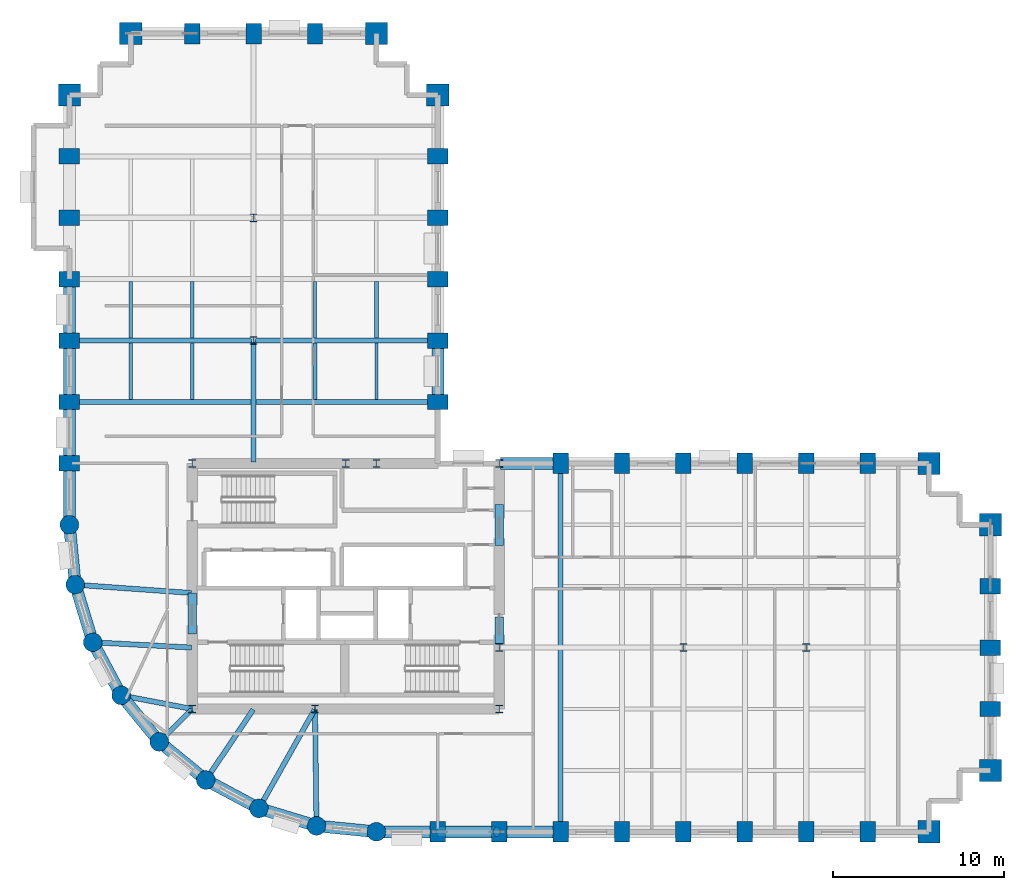
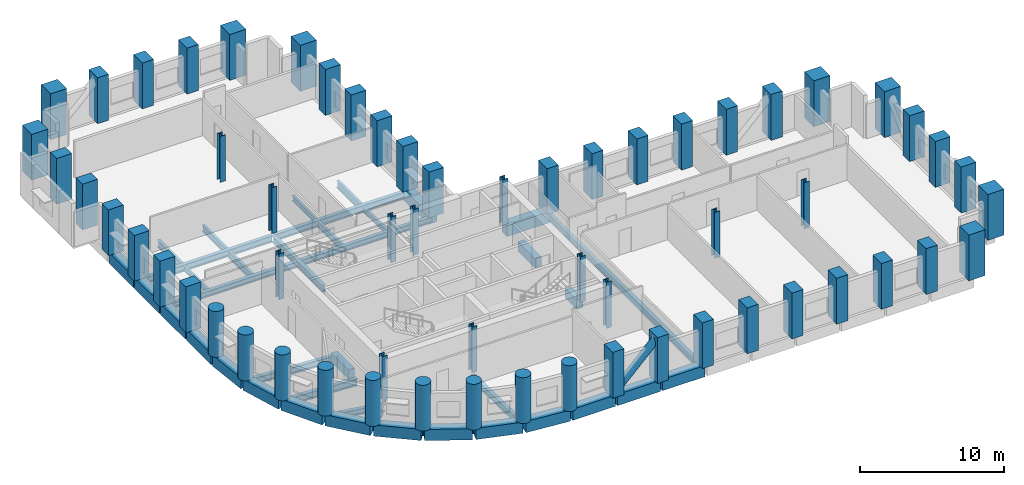
# One storey, part 1 of 11: 60 columns, 40 beams, 1 member.
"""IFC4 building model written with IfcOpenShell, lengths in metres."""

from ifc_helpers import new_model, si_unit, direction, frame, origin, origin_2d, place, context, subcontext, project, spatial, rectangle, circle, hollow_circle, i_section, extrude, material, material_profile, profile_set, type_object, element, save


model = new_model("IFC4")

# Units and contexts
model_context = context("Model", 3, precision=1e-05, world=origin(), true_north=direction((0.0, 1.0)))
body_context = subcontext(model_context, "Body", "Model", "MODEL_VIEW")
ifc_project = project(units=[si_unit("LENGTHUNIT", "METRE"), si_unit("AREAUNIT", "SQUARE_METRE"), si_unit("VOLUMEUNIT", "CUBIC_METRE"), si_unit("PLANEANGLEUNIT", "RADIAN"), si_unit("MASSUNIT", "GRAM", prefix="KILO")], contexts=[model_context])

# Site, building, storey
site_placement = place(None, origin())
site = spatial("IfcSite", under=ifc_project, at=site_placement, CompositionType="ELEMENT")
building_placement = place(site_placement, origin())
building = spatial("IfcBuilding", under=site, at=building_placement, Name="Solnavia Interchange Tower", CompositionType="ELEMENT")
storey_placement = place(building_placement, frame((0.0, 0.0, 47.39990234375)))
storey = spatial("IfcBuildingStorey", under=building, at=storey_placement, Name="L11", CompositionType="ELEMENT", Elevation=47.39990234375)

# Columns
ifc_material_1 = material(Name="Concrete C60/75", Category="concrete")
ifc_material_profile_1 = material_profile(ifc_material_1, rectangle(XDim=0.89990234375, YDim=1.199951171875, at=origin_2d()), Name="RC 1200x900")
ifc_profile_set_1 = profile_set([ifc_material_profile_1], Name="Concrete C60/75")
column_type_1 = type_object("IfcColumnType", Name="Col-RC-1200x900", PredefinedType="COLUMN", material=ifc_profile_set_1)
for number, where, z_axis, x_axis, name in (
    (1, (7.199951171875, 25.199951171875, 0.0), (0.0, 0.0, 1.0), (0.0, 1.0, 0.0), "COL-L11-02 Tower perim y column"),
    (2, (7.199951171875, 28.800048828125, 0.0), (0.0, 0.0, 1.0), (0.0, 1.0, 0.0), "COL-L11-03 Tower perim y column"),
    (3, (7.199951171875, 32.39990234375, 0.0), (0.0, 0.0, 1.0), (0.0, 1.0, 0.0), "COL-L11-04 Tower perim y column"),
    (4, (7.199951171875, 36.0, 0.0), (0.0, 0.0, 1.0), (0.0, 1.0, 0.0), "COL-L11-05 Tower perim y column"),
    (5, (7.199951171875, 39.60009765625, 0.0), (0.0, 0.0, 1.0), (0.0, 1.0, 0.0), "COL-L11-06 Tower perim y column"),
    (6, (7.199951171875, 43.199951171875, 0.0), (0.0, 0.0, 1.0), (0.0, 1.0, 0.0), "COL-L11-07 Tower perim y column"),
    (7, (14.39990234375, 50.39990234375, 0.0), (0.0, 0.0, 1.0), (1.0, 0.0, 0.0), "COL-L11-16 Tower perim x column"),
    (8, (18.0, 50.39990234375, 0.0), (0.0, 0.0, 1.0), (1.0, 0.0, 0.0), "COL-L11-20 Tower perim x column"),
    (9, (21.60009765625, 50.39990234375, 0.0), (0.0, 0.0, 1.0), (1.0, 0.0, 0.0), "COL-L11-23 Tower perim x column"),
    (10, (28.800048828125, 3.60009765625, 0.0), (0.0, 0.0, 1.0), (1.0, 0.0, 0.0), "COL-L11-29 Tower perim x column"),
    (11, (28.800048828125, 28.800048828125, 0.0), (0.0, 0.0, 1.0), (0.0, 1.0, 0.0), "COL-L11-30 Tower perim y column"),
    (12, (28.800048828125, 32.39990234375, 0.0), (0.0, 0.0, 1.0), (0.0, 1.0, 0.0), "COL-L11-31 Tower perim y column"),
    (13, (28.800048828125, 36.0, 0.0), (0.0, 0.0, 1.0), (0.0, 1.0, 0.0), "COL-L11-32 Tower perim y column"),
    (14, (28.800048828125, 39.60009765625, 0.0), (0.0, 0.0, 1.0), (0.0, 1.0, 0.0), "COL-L11-33 Tower perim y column"),
    (15, (28.800048828125, 43.199951171875, 0.0), (0.0, 0.0, 1.0), (0.0, 1.0, 0.0), "COL-L11-34 Tower perim y column"),
    (16, (32.39990234375, 3.60009765625, 0.0), (0.0, 0.0, 1.0), (1.0, 0.0, 0.0), "COL-L11-36 Tower perim x column"),
    (17, (36.0, 3.60009765625, 0.0), (0.0, 0.0, 1.0), (1.0, 0.0, 0.0), "COL-L11-40 Tower perim x column"),
    (18, (36.0, 25.199951171875, 0.0), (0.0, 0.0, 1.0), (1.0, 0.0, 0.0), "COL-L11-41 Tower perim x column"),
    (19, (39.60009765625, 3.60009765625, 0.0), (0.0, 0.0, 1.0), (1.0, 0.0, 0.0), "COL-L11-42 Tower perim x column"),
    (20, (39.60009765625, 25.199951171875, 0.0), (0.0, 0.0, 1.0), (1.0, 0.0, 0.0), "COL-L11-43 Tower perim x column"),
    (21, (43.199951171875, 3.60009765625, 0.0), (0.0, 0.0, 1.0), (1.0, 0.0, 0.0), "COL-L11-44 Tower perim x column"),
    (22, (43.199951171875, 25.199951171875, 0.0), (0.0, 0.0, 1.0), (1.0, 0.0, 0.0), "COL-L11-46 Tower perim x column"),
    (23, (46.800048828125, 3.60009765625, 0.0), (0.0, 0.0, 1.0), (1.0, 0.0, 0.0), "COL-L11-47 Tower perim x column"),
    (24, (46.800048828125, 25.199951171875, 0.0), (0.0, 0.0, 1.0), (1.0, 0.0, 0.0), "COL-L11-48 Tower perim x column"),
    (25, (50.39990234375, 3.60009765625, 0.0), (0.0, 0.0, 1.0), (1.0, 0.0, 0.0), "COL-L11-49 Tower perim x column"),
    (26, (50.39990234375, 25.199951171875, 0.0), (0.0, 0.0, 1.0), (1.0, 0.0, 0.0), "COL-L11-51 Tower perim x column"),
    (27, (54.0, 3.60009765625, 0.0), (0.0, 0.0, 1.0), (1.0, 0.0, 0.0), "COL-L11-52 Tower perim x column"),
    (28, (54.0, 25.199951171875, 0.0), (0.0, 0.0, 1.0), (1.0, 0.0, 0.0), "COL-L11-53 Tower perim x column"),
    (29, (61.199951171875, 10.800048828125, 0.0), (0.0, 0.0, 1.0), (0.0, 1.0, 0.0), "COL-L11-57 Tower perim y column"),
    (30, (61.199951171875, 14.39990234375, 0.0), (0.0, 0.0, 1.0), (0.0, 1.0, 0.0), "COL-L11-58 Tower perim y column"),
    (31, (61.199951171875, 18.0, 0.0), (0.0, 0.0, 1.0), (0.0, 1.0, 0.0), "COL-L11-59 Tower perim y column"),
):
    element("IfcColumn", number, at=place(storey_placement, frame(where, z_axis=z_axis, x_axis=x_axis)), inside=storey, type_object=column_type_1, Name=name, PredefinedType="COLUMN", context=body_context, shape_type="SweptSolid", body=[
        extrude(rectangle(XDim=0.89990234375, YDim=1.199951171875, at=origin_2d()), origin(), (0.0, 0.0, 1.0), 3.900146484375),
    ])
ifc_material_profile_2 = material_profile(ifc_material_1, rectangle(XDim=1.300048828125, YDim=1.300048828125, at=origin_2d()), Name="RC 1300x1300")
ifc_profile_set_2 = profile_set([ifc_material_profile_2], Name="Concrete C60/75")
column_type_2 = type_object("IfcColumnType", Name="Col-RC-1300x1300", PredefinedType="COLUMN", material=ifc_profile_set_2)
for number, where, z_axis, x_axis, name in (
    (32, (7.199951171875, 46.800048828125, 0.0), (0.0, 0.0, 1.0), (0.0, 1.0, 0.0), "COL-L11-08 Tower corner column"),
    (33, (10.800048828125, 50.39990234375, 0.0), (0.0, 0.0, 1.0), (1.0, 0.0, 0.0), "COL-L11-12 Tower corner column"),
    (34, (25.199951171875, 50.39990234375, 0.0), (0.0, 0.0, 1.0), (1.0, 0.0, 0.0), "COL-L11-28 Tower corner column"),
    (35, (28.800048828125, 46.800048828125, 0.0), (0.0, 0.0, 1.0), (0.0, 1.0, 0.0), "COL-L11-35 Tower corner column"),
    (36, (57.60009765625, 3.60009765625, 0.0), (0.0, 0.0, 1.0), (1.0, 0.0, 0.0), "COL-L11-54 Tower corner column"),
    (37, (57.60009765625, 25.199951171875, 0.0), (0.0, 0.0, 1.0), (1.0, 0.0, 0.0), "COL-L11-55 Tower corner column"),
    (38, (61.199951171875, 7.199951171875, 0.0), (0.0, 0.0, 1.0), (1.0, 0.0, 0.0), "COL-L11-56 Tower corner column"),
    (39, (61.199951171875, 21.60009765625, 0.0), (0.0, 0.0, 1.0), (0.0, 1.0, 0.0), "COL-L11-60 Tower corner column"),
):
    element("IfcColumn", number, at=place(storey_placement, frame(where, z_axis=z_axis, x_axis=x_axis)), inside=storey, type_object=column_type_2, Name=name, PredefinedType="COLUMN", context=body_context, shape_type="SweptSolid", body=[
        extrude(rectangle(XDim=1.300048828125, YDim=1.300048828125, at=origin_2d()), origin(), (0.0, 0.0, 1.0), 3.900146484375),
    ])
ifc_material_profile_3 = material_profile(ifc_material_1, circle(Radius=0.550048828125, at=origin_2d()), Name="RC D1100")
ifc_profile_set_3 = profile_set([ifc_material_profile_3], Name="Concrete C60/75")
column_type_3 = type_object("IfcColumnType", Name="Col-RC-D1100", PredefinedType="COLUMN", material=ifc_profile_set_3)
for number, where, z_axis, x_axis, name in (
    (40, (7.199951171875, 21.60009765625, 0.0), (0.0, 0.0, 1.0), (1.0, 0.0, 0.0), "COL-L11-01 Tower drum column"),
    (41, (7.5458984375, 18.087890625, 0.0), (0.0, 0.0, 1.0), (1.0, 0.0, 0.0), "COL-L11-09 Tower drum column"),
    (42, (8.570068359375, 14.7119140625, 0.0), (0.0, 0.0, 1.0), (1.0, 0.0, 0.0), "COL-L11-10 Tower drum column"),
    (43, (10.23388671875, 11.60009765625, 0.0), (0.0, 0.0, 1.0), (1.0, 0.0, 0.0), "COL-L11-11 Tower drum column"),
    (44, (12.471923828125, 8.8720703125, 0.0), (0.0, 0.0, 1.0), (1.0, 0.0, 0.0), "COL-L11-13 Tower drum column"),
    (45, (15.199951171875, 6.634033203125, 0.0), (0.0, 0.0, 1.0), (1.0, 0.0, 0.0), "COL-L11-17 Tower drum column"),
    (46, (18.31201171875, 4.969970703125, 0.0), (0.0, 0.0, 1.0), (1.0, 0.0, 0.0), "COL-L11-21 Tower drum column"),
    (47, (21.68798828125, 3.946044921875, 0.0), (0.0, 0.0, 1.0), (1.0, 0.0, 0.0), "COL-L11-24 Tower drum column"),
    (48, (25.199951171875, 3.60009765625, 0.0), (0.0, 0.0, 1.0), (1.0, 0.0, 0.0), "COL-L11-26 Tower drum column"),
):
    element("IfcColumn", number, at=place(storey_placement, frame(where, z_axis=z_axis, x_axis=x_axis)), inside=storey, type_object=column_type_3, Name=name, PredefinedType="COLUMN", context=body_context, shape_type="SweptSolid", body=[
        extrude(circle(Radius=0.550048828125, at=origin_2d()), origin(), (0.0, 0.0, 1.0), 3.900146484375),
    ])
ifc_material_2 = material(Name="Steel S355", Category="steel")
ifc_material_profile_4 = material_profile(ifc_material_2, i_section(OverallWidth=0.424072265625, OverallDepth=0.467041015625, WebThickness=0.032958984375, FlangeThickness=0.053466796875, FilletRadius=0.014892578125, at=origin_2d()), Name="HD 400x509")
ifc_profile_set_4 = profile_set([ifc_material_profile_4], Name="Steel S355")
column_type_4 = type_object("IfcColumnType", Name="Col-Steel-HD400x509", PredefinedType="COLUMN", material=ifc_profile_set_4)
for number, where, z_axis, x_axis, name in (
    (49, (14.39990234375, 10.800048828125, 0.0), (0.0, 0.0, 1.0), (1.0, 0.0, 0.0), "COL-L11-14 Tower interior column"),
    (50, (14.39990234375, 25.199951171875, 0.0), (0.0, 0.0, 1.0), (1.0, 0.0, 0.0), "COL-L11-15 Tower interior column"),
    (51, (18.0, 32.39990234375, 0.0), (0.0, 0.0, 1.0), (1.0, 0.0, 0.0), "COL-L11-18 Tower interior column"),
    (52, (18.0, 39.60009765625, 0.0), (0.0, 0.0, 1.0), (1.0, 0.0, 0.0), "COL-L11-19 Tower interior column"),
    (53, (21.60009765625, 10.800048828125, 0.0), (0.0, 0.0, 1.0), (1.0, 0.0, 0.0), "COL-L11-22 Tower interior column"),
    (54, (23.39990234375, 25.199951171875, 0.0), (0.0, 0.0, 1.0), (1.0, 0.0, 0.0), "COL-L11-25 Tower interior column"),
    (55, (25.199951171875, 25.199951171875, 0.0), (0.0, 0.0, 1.0), (1.0, 0.0, 0.0), "COL-L11-27 Tower interior column"),
    (56, (32.39990234375, 10.800048828125, 0.0), (0.0, 0.0, 1.0), (1.0, 0.0, 0.0), "COL-L11-37 Tower interior column"),
    (57, (32.39990234375, 14.39990234375, 0.0), (0.0, 0.0, 1.0), (1.0, 0.0, 0.0), "COL-L11-38 Tower interior column"),
    (58, (32.39990234375, 25.199951171875, 0.0), (0.0, 0.0, 1.0), (1.0, 0.0, 0.0), "COL-L11-39 Tower interior column"),
    (59, (43.199951171875, 14.39990234375, 0.0), (0.0, 0.0, 1.0), (1.0, 0.0, 0.0), "COL-L11-45 Tower interior column"),
    (60, (50.39990234375, 14.39990234375, 0.0), (0.0, 0.0, 1.0), (1.0, 0.0, 0.0), "COL-L11-50 Tower interior column"),
):
    element("IfcColumn", number, at=place(storey_placement, frame(where, z_axis=z_axis, x_axis=x_axis)), inside=storey, type_object=column_type_4, Name=name, PredefinedType="COLUMN", context=body_context, shape_type="SweptSolid", body=[
        extrude(i_section(OverallWidth=0.424072265625, OverallDepth=0.467041015625, WebThickness=0.032958984375, FlangeThickness=0.053466796875, FilletRadius=0.014892578125, at=origin_2d()), origin(), (0.0, 0.0, 1.0), 3.900146484375),
    ])

# Beams
ifc_material_3 = material(Name="Concrete C50/60", Category="concrete")
ifc_material_profile_5 = material_profile(ifc_material_3, rectangle(XDim=0.5, YDim=0.800048828125, at=origin_2d()), Name="RC 500x800")
ifc_profile_set_5 = profile_set([ifc_material_profile_5], Name="Concrete C50/60")
beam_type_1 = type_object("IfcBeamType", Name="Beam-Coupling-RC500x800", PredefinedType="LINTEL", material=ifc_profile_set_5)
beam_1_placement = place(storey_placement, frame((14.39990234375, 15.199951171875, -0.39990234375), z_axis=(0.0, 1.0, 0.0), x_axis=(-1.0, 0.0, 0.0)))
element("IfcBeam", 61, at=beam_1_placement, inside=storey, type_object=beam_type_1, Name="CPB-L11-W1 Core coupling lintel beam", PredefinedType="LINTEL", context=body_context, shape_type="SweptSolid", body=[
    extrude(rectangle(XDim=0.5, YDim=0.800048828125, at=origin_2d()), origin(), (0.0, 0.0, 1.0), 2.400146484375),
])
beam_2_placement = place(storey_placement, frame((32.39990234375, 14.60009765625, -0.39990234375), z_axis=(0.0, 1.0, 0.0), x_axis=(-1.0, 0.0, 0.0)))
element("IfcBeam", 62, at=beam_2_placement, inside=storey, type_object=beam_type_1, Name="CPB-L11-E1 Core coupling lintel beam", PredefinedType="LINTEL", context=body_context, shape_type="SweptSolid", body=[
    extrude(rectangle(XDim=0.5, YDim=0.800048828125, at=origin_2d()), origin(), (0.0, 0.0, 1.0), 1.599853515625),
])
beam_3_placement = place(storey_placement, frame((32.39990234375, 20.39990234375, -0.39990234375), z_axis=(0.0, 1.0, 0.0), x_axis=(-1.0, 0.0, 0.0)))
element("IfcBeam", 63, at=beam_3_placement, inside=storey, type_object=beam_type_1, Name="CPB-L11-E2 Core coupling lintel beam", PredefinedType="LINTEL", context=body_context, shape_type="SweptSolid", body=[
    extrude(rectangle(XDim=0.5, YDim=0.800048828125, at=origin_2d()), origin(), (0.0, 0.0, 1.0), 2.400146484375),
])
ifc_material_4 = material(Name="Steel S460", Category="steel")
ifc_material_profile_6 = material_profile(ifc_material_4, i_section(OverallWidth=0.300048828125, OverallDepth=0.550048828125, WebThickness=0.014892578125, FlangeThickness=0.029052734375, FilletRadius=0.027099609375, at=origin_2d()), Name="HEB 550")
ifc_profile_set_6 = profile_set([ifc_material_profile_6], Name="Steel S460")
beam_type_2 = type_object("IfcBeamType", Name="Beam-Girder-HEB550", PredefinedType="BEAM", material=ifc_profile_set_6)
beam_4_placement = place(storey_placement, frame((36.0, 3.679931640625, -0.52490234375), z_axis=(0.0, 1.0, 0.0), x_axis=(-1.0, 0.0, 0.0)))
element("IfcBeam", 64, at=beam_4_placement, inside=storey, type_object=beam_type_2, Name="GRD-L11-EW04 East wing primary floor girder", PredefinedType="BEAM", context=body_context, shape_type="SweptSolid", body=[
    extrude(i_section(OverallWidth=0.300048828125, OverallDepth=0.550048828125, WebThickness=0.014892578125, FlangeThickness=0.029052734375, FilletRadius=0.027099609375, at=origin_2d()), origin(), (0.0, 0.0, 1.0), 21.440185546875),
])
beam_5_placement = place(storey_placement, frame((18.0, 25.280029296875, -0.52490234375), z_axis=(0.0, 1.0, 0.0), x_axis=(-1.0, 0.0, 0.0)))
element("IfcBeam", 65, at=beam_5_placement, inside=storey, type_object=beam_type_2, Name="GRD-L11-NS12 North wing spine girder", PredefinedType="BEAM", context=body_context, shape_type="SweptSolid", body=[
    extrude(i_section(OverallWidth=0.300048828125, OverallDepth=0.550048828125, WebThickness=0.014892578125, FlangeThickness=0.029052734375, FilletRadius=0.027099609375, at=origin_2d()), origin(), (0.0, 0.0, 1.0), 7.0400390625),
])
for number, where, z_axis, x_axis, name in (
    (66, (7.280029296875, 32.39990234375, -0.52490234375), (1.0, 0.0, 0.0), (0.0, 1.0, 0.0), "GRD-L11-NW16 North wing primary floor girder"),
    (67, (18.080078125, 32.39990234375, -0.52490234375), (1.0, 0.0, 0.0), (0.0, 1.0, 0.0), "GRD-L11-NW17 North wing primary floor girder"),
):
    element("IfcBeam", number, at=place(storey_placement, frame(where, z_axis=z_axis, x_axis=x_axis)), inside=storey, type_object=beam_type_2, Name=name, PredefinedType="BEAM", context=body_context, shape_type="SweptSolid", body=[
        extrude(i_section(OverallWidth=0.300048828125, OverallDepth=0.550048828125, WebThickness=0.014892578125, FlangeThickness=0.029052734375, FilletRadius=0.027099609375, at=origin_2d()), origin(), (0.0, 0.0, 1.0), 10.639892578125),
    ])
beam_6_placement = place(storey_placement, frame((7.625732421875, 18.082275390625, -0.52490234375), z_axis=(0.99747482749, -0.071020902015, 0.0), x_axis=(0.071020902015, 0.99747482749, 0.0)))
element("IfcBeam", 68, at=beam_6_placement, inside=storey, type_object=beam_type_2, Name="GRD-L11-DR22 Drum radial floor girder", PredefinedType="BEAM", context=body_context, shape_type="SweptSolid", body=[
    extrude(i_section(OverallWidth=0.300048828125, OverallDepth=0.550048828125, WebThickness=0.014892578125, FlangeThickness=0.029052734375, FilletRadius=0.027099609375, at=origin_2d()), origin(), (0.0, 0.0, 1.0), 6.75146484375),
])
beam_7_placement = place(storey_placement, frame((12.528564453125, 8.9287109375, -0.52490234375), z_axis=(0.707106781187, 0.707106781187, 0.0), x_axis=(-0.707106781187, 0.707106781187, 0.0)))
element("IfcBeam", 69, at=beam_7_placement, inside=storey, type_object=beam_type_2, Name="GRD-L11-DR25 Drum radial floor girder", PredefinedType="BEAM", context=body_context, shape_type="SweptSolid", body=[
    extrude(i_section(OverallWidth=0.300048828125, OverallDepth=0.550048828125, WebThickness=0.014892578125, FlangeThickness=0.029052734375, FilletRadius=0.027099609375, at=origin_2d()), origin(), (0.0, 0.0, 1.0), 2.6064453125),
])
beam_8_placement = place(storey_placement, frame((21.68701171875, 4.02587890625, -0.52490234375), z_axis=(-0.01283293513, 0.999917654498, 0.0), x_axis=(-0.999917654498, -0.01283293513, 0.0)))
element("IfcBeam", 70, at=beam_8_placement, inside=storey, type_object=beam_type_2, Name="GRD-L11-DR28 Drum radial floor girder", PredefinedType="BEAM", context=body_context, shape_type="SweptSolid", body=[
    extrude(i_section(OverallWidth=0.300048828125, OverallDepth=0.550048828125, WebThickness=0.014892578125, FlangeThickness=0.029052734375, FilletRadius=0.027099609375, at=origin_2d()), origin(), (0.0, 0.0, 1.0), 6.734619140625),
])
ifc_material_profile_7 = material_profile(ifc_material_2, i_section(OverallWidth=0.18994140625, OverallDepth=0.449951171875, WebThickness=0.009521484375, FlangeThickness=0.0146484375, FilletRadius=0.02099609375, at=origin_2d()), Name="IPE 450")
ifc_profile_set_7 = profile_set([ifc_material_profile_7], Name="Steel S355")
beam_type_3 = type_object("IfcBeamType", Name="Beam-Joist-IPE450", PredefinedType="JOIST", material=ifc_profile_set_7)
for number, where, z_axis, x_axis, name in (
    (71, (10.800048828125, 28.949951171875, -0.474853515625), (0.0, 1.0, 0.0), (-1.0, 0.0, 0.0), "JST-L11-N21 North wing secondary joist"),
    (72, (21.60009765625, 32.550048828125, -0.474853515625), (0.0, 1.0, 0.0), (-1.0, 0.0, 0.0), "JST-L11-N30 North wing secondary joist"),
    (73, (25.199951171875, 28.949951171875, -0.474853515625), (0.0, 1.0, 0.0), (-1.0, 0.0, 0.0), "JST-L11-N33 North wing secondary joist"),
):
    element("IfcBeam", number, at=place(storey_placement, frame(where, z_axis=z_axis, x_axis=x_axis)), inside=storey, type_object=beam_type_3, Name=name, PredefinedType="JOIST", context=body_context, shape_type="SweptSolid", body=[
        extrude(i_section(OverallWidth=0.18994140625, OverallDepth=0.449951171875, WebThickness=0.009521484375, FlangeThickness=0.0146484375, FilletRadius=0.02099609375, at=origin_2d()), origin(), (0.0, 0.0, 1.0), 3.300048828125),
    ])
ifc_material_profile_8 = material_profile(ifc_material_2, i_section(OverallWidth=0.2099609375, OverallDepth=0.550048828125, WebThickness=0.010986328125, FlangeThickness=0.01708984375, FilletRadius=0.02392578125, at=origin_2d()), Name="IPE 550")
ifc_profile_set_8 = profile_set([ifc_material_profile_8], Name="Steel S355")
beam_type_4 = type_object("IfcBeamType", Name="Beam-Joist-IPE550", PredefinedType="JOIST", material=ifc_profile_set_8)
for number, where, z_axis, x_axis, name in (
    (74, (14.39990234375, 32.550048828125, -0.52490234375), (0.0, 1.0, 0.0), (-1.0, 0.0, 0.0), "JST-L11-N26 North wing secondary joist"),
    (75, (21.60009765625, 28.949951171875, -0.52490234375), (0.0, 1.0, 0.0), (-1.0, 0.0, 0.0), "JST-L11-N29 North wing secondary joist"),
):
    element("IfcBeam", number, at=place(storey_placement, frame(where, z_axis=z_axis, x_axis=x_axis)), inside=storey, type_object=beam_type_4, Name=name, PredefinedType="JOIST", context=body_context, shape_type="SweptSolid", body=[
        extrude(i_section(OverallWidth=0.2099609375, OverallDepth=0.550048828125, WebThickness=0.010986328125, FlangeThickness=0.01708984375, FilletRadius=0.02392578125, at=origin_2d()), origin(), (0.0, 0.0, 1.0), 3.300048828125),
    ])
ifc_material_profile_9 = material_profile(ifc_material_2, i_section(OverallWidth=0.219970703125, OverallDepth=0.60009765625, WebThickness=0.011962890625, FlangeThickness=0.01904296875, FilletRadius=0.02392578125, at=origin_2d()), Name="IPE 600")
ifc_profile_set_9 = profile_set([ifc_material_profile_9], Name="Steel S355")
beam_type_5 = type_object("IfcBeamType", Name="Beam-Joist-IPE600", PredefinedType="JOIST", material=ifc_profile_set_9)
for number, where, z_axis, x_axis, name in (
    (76, (10.800048828125, 32.550048828125, -0.5498046875), (0.0, 1.0, 0.0), (-1.0, 0.0, 0.0), "JST-L11-N22 North wing secondary joist"),
    (77, (14.39990234375, 28.949951171875, -0.5498046875), (0.0, 1.0, 0.0), (-1.0, 0.0, 0.0), "JST-L11-N25 North wing secondary joist"),
    (78, (25.199951171875, 32.550048828125, -0.5498046875), (0.0, 1.0, 0.0), (-1.0, 0.0, 0.0), "JST-L11-N34 North wing secondary joist"),
):
    element("IfcBeam", number, at=place(storey_placement, frame(where, z_axis=z_axis, x_axis=x_axis)), inside=storey, type_object=beam_type_5, Name=name, PredefinedType="JOIST", context=body_context, shape_type="SweptSolid", body=[
        extrude(i_section(OverallWidth=0.219970703125, OverallDepth=0.60009765625, WebThickness=0.011962890625, FlangeThickness=0.01904296875, FilletRadius=0.02392578125, at=origin_2d()), origin(), (0.0, 0.0, 1.0), 3.300048828125),
    ])
ifc_material_profile_10 = material_profile(ifc_material_2, i_section(OverallWidth=0.300048828125, OverallDepth=0.489990234375, WebThickness=0.011962890625, FlangeThickness=0.02294921875, FilletRadius=0.027099609375, at=origin_2d()), Name="HEA 500")
ifc_profile_set_10 = profile_set([ifc_material_profile_10], Name="Steel S355")
beam_type_6 = type_object("IfcBeamType", Name="Beam-Primary-HEA500", PredefinedType="BEAM", material=ifc_profile_set_10)
beam_9_placement = place(storey_placement, frame((7.280029296875, 28.800048828125, -0.494873046875), z_axis=(1.0, 0.0, 0.0), x_axis=(0.0, 1.0, 0.0)))
element("IfcBeam", 79, at=beam_9_placement, inside=storey, type_object=beam_type_6, Name="GRD-L11-NW15 North wing primary floor girder", PredefinedType="BEAM", context=body_context, shape_type="SweptSolid", body=[
    extrude(i_section(OverallWidth=0.300048828125, OverallDepth=0.489990234375, WebThickness=0.011962890625, FlangeThickness=0.02294921875, FilletRadius=0.027099609375, at=origin_2d()), origin(), (0.0, 0.0, 1.0), 21.43994140625),
])
beam_10_placement = place(storey_placement, frame((10.3125, 11.5849609375, -0.494873046875), z_axis=(0.982057527796, -0.188581579428, 0.0), x_axis=(0.188581579428, 0.982057527796, 0.0)))
element("IfcBeam", 80, at=beam_10_placement, inside=storey, type_object=beam_type_6, Name="GRD-L11-DR24 Drum radial floor girder", PredefinedType="BEAM", context=body_context, shape_type="SweptSolid", body=[
    extrude(i_section(OverallWidth=0.300048828125, OverallDepth=0.489990234375, WebThickness=0.011962890625, FlangeThickness=0.02294921875, FilletRadius=0.027099609375, at=origin_2d()), origin(), (0.0, 0.0, 1.0), 4.1220703125),
])
beam_11_placement = place(storey_placement, frame((18.351318359375, 5.039794921875, -0.494873046875), z_axis=(0.491243158486, 0.871022479182, 0.0), x_axis=(-0.871022479182, 0.491243158486, 0.0)))
element("IfcBeam", 81, at=beam_11_placement, inside=storey, type_object=beam_type_6, Name="GRD-L11-DR27 Drum radial floor girder", PredefinedType="BEAM", context=body_context, shape_type="SweptSolid", body=[
    extrude(i_section(OverallWidth=0.300048828125, OverallDepth=0.489990234375, WebThickness=0.011962890625, FlangeThickness=0.02294921875, FilletRadius=0.027099609375, at=origin_2d()), origin(), (0.0, 0.0, 1.0), 6.5732421875),
])
ifc_material_profile_11 = material_profile(ifc_material_2, i_section(OverallWidth=0.300048828125, OverallDepth=0.590087890625, WebThickness=0.012939453125, FlangeThickness=0.02490234375, FilletRadius=0.027099609375, at=origin_2d()), Name="HEA 600")
ifc_profile_set_11 = profile_set([ifc_material_profile_11], Name="Steel S355")
beam_type_7 = type_object("IfcBeamType", Name="Beam-Primary-HEA600", PredefinedType="BEAM", material=ifc_profile_set_11)
beam_12_placement = place(storey_placement, frame((8.64990234375, 14.707763671875, -0.544921875), z_axis=(0.998570371303, -0.053452909696, 0.0), x_axis=(0.053452909696, 0.998570371303, 0.0)))
element("IfcBeam", 82, at=beam_12_placement, inside=storey, type_object=beam_type_7, Name="GRD-L11-DR23 Drum radial floor girder", PredefinedType="BEAM", context=body_context, shape_type="SweptSolid", body=[
    extrude(i_section(OverallWidth=0.300048828125, OverallDepth=0.590087890625, WebThickness=0.012939453125, FlangeThickness=0.02490234375, FilletRadius=0.027099609375, at=origin_2d()), origin(), (0.0, 0.0, 1.0), 5.71826171875),
])
beam_13_placement = place(storey_placement, frame((15.24462890625, 6.700439453125, -0.544921875), z_axis=(0.557835474219, 0.829951555033, 0.0), x_axis=(-0.829951555033, 0.557835474219, 0.0)))
element("IfcBeam", 83, at=beam_13_placement, inside=storey, type_object=beam_type_7, Name="GRD-L11-DR26 Drum radial floor girder", PredefinedType="BEAM", context=body_context, shape_type="SweptSolid", body=[
    extrude(i_section(OverallWidth=0.300048828125, OverallDepth=0.590087890625, WebThickness=0.012939453125, FlangeThickness=0.02490234375, FilletRadius=0.027099609375, at=origin_2d()), origin(), (0.0, 0.0, 1.0), 4.899658203125),
])
ifc_material_profile_12 = material_profile(ifc_material_3, rectangle(XDim=0.699951171875, YDim=0.949951171875, at=origin_2d()), Name="RC 700x950")
ifc_profile_set_12 = profile_set([ifc_material_profile_12], Name="Concrete C50/60")
beam_type_8 = type_object("IfcBeamType", Name="Beam-Spandrel-RC700x950", PredefinedType="SPANDREL", material=ifc_profile_set_12)
beam_14_placement = place(storey_placement, frame((7.207763671875, 21.5205078125, -0.474853515625), z_axis=(0.098040038117, -0.995182471171, 0.0), x_axis=(0.995182471171, 0.098040038117, 0.0)))
element("IfcBeam", 84, at=beam_14_placement, inside=storey, type_object=beam_type_8, Name="SPB-L11-01 Framed-tube perimeter spandrel beam", PredefinedType="SPANDREL", context=body_context, shape_type="SweptSolid", body=[
    extrude(rectangle(XDim=0.699951171875, YDim=0.949951171875, at=origin_2d()), origin(), (0.0, 0.0, 1.0), 3.369140625),
])
beam_15_placement = place(storey_placement, frame((7.569091796875, 18.011474609375, -0.474853515625), z_axis=(0.290319223646, -0.956929855518, 0.0), x_axis=(0.956929855518, 0.290319223646, 0.0)))
element("IfcBeam", 85, at=beam_15_placement, inside=storey, type_object=beam_type_8, Name="SPB-L11-02 Framed-tube perimeter spandrel beam", PredefinedType="SPANDREL", context=body_context, shape_type="SweptSolid", body=[
    extrude(rectangle(XDim=0.699951171875, YDim=0.949951171875, at=origin_2d()), origin(), (0.0, 0.0, 1.0), 3.367919921875),
])
beam_16_placement = place(storey_placement, frame((8.607666015625, 14.6416015625, -0.474853515625), z_axis=(0.471509422952, -0.881861023102, 0.0), x_axis=(0.881861023102, 0.471509422952, 0.0)))
element("IfcBeam", 86, at=beam_16_placement, inside=storey, type_object=beam_type_8, Name="SPB-L11-03 Framed-tube perimeter spandrel beam", PredefinedType="SPANDREL", context=body_context, shape_type="SweptSolid", body=[
    extrude(rectangle(XDim=0.699951171875, YDim=0.949951171875, at=origin_2d()), origin(), (0.0, 0.0, 1.0), 3.369140625),
])
for number, where, z_axis, x_axis, name in (
    (87, (10.28466796875, 11.5380859375, -0.474853515625), (0.634298841675, -0.773087950656, 0.0), (0.773087950656, 0.634298841675, 0.0), "SPB-L11-04 Framed-tube perimeter spandrel beam"),
    (88, (12.53369140625, 8.8212890625, -0.474853515625), (0.773152644452, -0.634219984214, 0.0), (0.634219984214, 0.773152644452, 0.0), "SPB-L11-05 Framed-tube perimeter spandrel beam"),
):
    element("IfcBeam", number, at=place(storey_placement, frame(where, z_axis=z_axis, x_axis=x_axis)), inside=storey, type_object=beam_type_8, Name=name, PredefinedType="SPANDREL", context=body_context, shape_type="SweptSolid", body=[
        extrude(rectangle(XDim=0.699951171875, YDim=0.949951171875, at=origin_2d()), origin(), (0.0, 0.0, 1.0), 3.36865234375),
    ])
beam_17_placement = place(storey_placement, frame((15.2705078125, 6.59619140625, -0.474853515625), z_axis=(0.881875044348, -0.47148319817, 0.0), x_axis=(0.47148319817, 0.881875044348, 0.0)))
element("IfcBeam", 89, at=beam_17_placement, inside=storey, type_object=beam_type_8, Name="SPB-L11-06 Framed-tube perimeter spandrel beam", PredefinedType="SPANDREL", context=body_context, shape_type="SweptSolid", body=[
    extrude(rectangle(XDim=0.699951171875, YDim=0.949951171875, at=origin_2d()), origin(), (0.0, 0.0, 1.0), 3.368896484375),
])
beam_18_placement = place(storey_placement, frame((18.388671875, 4.94677734375, -0.474853515625), z_axis=(0.956943884494, -0.290272978297, 0.0), x_axis=(0.290272978297, 0.956943884494, 0.0)))
element("IfcBeam", 90, at=beam_18_placement, inside=storey, type_object=beam_type_8, Name="SPB-L11-07 Framed-tube perimeter spandrel beam", PredefinedType="SPANDREL", context=body_context, shape_type="SweptSolid", body=[
    extrude(rectangle(XDim=0.699951171875, YDim=0.949951171875, at=origin_2d()), origin(), (0.0, 0.0, 1.0), 3.36767578125),
])
beam_19_placement = place(storey_placement, frame((21.767578125, 3.938232421875, -0.474853515625), z_axis=(0.995181774609, -0.098047108501, 0.0), x_axis=(0.098047108501, 0.995181774609, 0.0)))
element("IfcBeam", 91, at=beam_19_placement, inside=storey, type_object=beam_type_8, Name="SPB-L11-08 Framed-tube perimeter spandrel beam", PredefinedType="SPANDREL", context=body_context, shape_type="SweptSolid", body=[
    extrude(rectangle(XDim=0.699951171875, YDim=0.949951171875, at=origin_2d()), origin(), (0.0, 0.0, 1.0), 3.368896484375),
])
beam_20_placement = place(storey_placement, frame((25.280029296875, 3.60009765625, -0.474853515625), z_axis=(1.0, 0.0, 0.0), x_axis=(0.0, 1.0, 0.0)))
element("IfcBeam", 92, at=beam_20_placement, inside=storey, type_object=beam_type_8, Name="SPB-L11-09 Framed-tube perimeter spandrel beam", PredefinedType="SPANDREL", context=body_context, shape_type="SweptSolid", body=[
    extrude(rectangle(XDim=0.699951171875, YDim=0.949951171875, at=origin_2d()), origin(), (0.0, 0.0, 1.0), 3.43994140625),
])
beam_21_placement = place(storey_placement, frame((28.8798828125, 3.60009765625, -0.474853515625), z_axis=(1.0, 0.0, 0.0), x_axis=(0.0, 1.0, 0.0)))
element("IfcBeam", 93, at=beam_21_placement, inside=storey, type_object=beam_type_8, Name="SPB-L11-10 Framed-tube perimeter spandrel beam", PredefinedType="SPANDREL", context=body_context, shape_type="SweptSolid", body=[
    extrude(rectangle(XDim=0.699951171875, YDim=0.949951171875, at=origin_2d()), origin(), (0.0, 0.0, 1.0), 3.440185546875),
])
for number, where, z_axis, x_axis, name in (
    (94, (32.47998046875, 3.60009765625, -0.474853515625), (1.0, 0.0, 0.0), (0.0, 1.0, 0.0), "SPB-L11-11 Framed-tube perimeter spandrel beam"),
    (95, (35.919921875, 25.199951171875, -0.474853515625), (-1.0, 0.0, 0.0), (0.0, -1.0, 0.0), "SPB-L11-28 Framed-tube perimeter spandrel beam"),
):
    element("IfcBeam", number, at=place(storey_placement, frame(where, z_axis=z_axis, x_axis=x_axis)), inside=storey, type_object=beam_type_8, Name=name, PredefinedType="SPANDREL", context=body_context, shape_type="SweptSolid", body=[
        extrude(rectangle(XDim=0.699951171875, YDim=0.949951171875, at=origin_2d()), origin(), (0.0, 0.0, 1.0), 3.43994140625),
    ])
beam_22_placement = place(storey_placement, frame((28.800048828125, 28.8798828125, -0.474853515625), z_axis=(0.0, 1.0, 0.0), x_axis=(-1.0, 0.0, 0.0)))
element("IfcBeam", 96, at=beam_22_placement, inside=storey, type_object=beam_type_8, Name="SPB-L11-29 Framed-tube perimeter spandrel beam", PredefinedType="SPANDREL", context=body_context, shape_type="SweptSolid", body=[
    extrude(rectangle(XDim=0.699951171875, YDim=0.949951171875, at=origin_2d()), origin(), (0.0, 0.0, 1.0), 3.440185546875),
])
beam_23_placement = place(storey_placement, frame((7.199951171875, 35.919921875, -0.474853515625), z_axis=(0.0, -1.0, 0.0), x_axis=(1.0, 0.0, 0.0)))
element("IfcBeam", 97, at=beam_23_placement, inside=storey, type_object=beam_type_8, Name="SPB-L11-41 Framed-tube perimeter spandrel beam", PredefinedType="SPANDREL", context=body_context, shape_type="SweptSolid", body=[
    extrude(rectangle(XDim=0.699951171875, YDim=0.949951171875, at=origin_2d()), origin(), (0.0, 0.0, 1.0), 3.43994140625),
])
beam_24_placement = place(storey_placement, frame((7.199951171875, 32.320068359375, -0.474853515625), z_axis=(0.0, -1.0, 0.0), x_axis=(1.0, 0.0, 0.0)))
element("IfcBeam", 98, at=beam_24_placement, inside=storey, type_object=beam_type_8, Name="SPB-L11-42 Framed-tube perimeter spandrel beam", PredefinedType="SPANDREL", context=body_context, shape_type="SweptSolid", body=[
    extrude(rectangle(XDim=0.699951171875, YDim=0.949951171875, at=origin_2d()), origin(), (0.0, 0.0, 1.0), 3.440185546875),
])
beam_25_placement = place(storey_placement, frame((7.199951171875, 28.719970703125, -0.474853515625), z_axis=(0.0, -1.0, 0.0), x_axis=(1.0, 0.0, 0.0)))
element("IfcBeam", 99, at=beam_25_placement, inside=storey, type_object=beam_type_8, Name="SPB-L11-43 Framed-tube perimeter spandrel beam", PredefinedType="SPANDREL", context=body_context, shape_type="SweptSolid", body=[
    extrude(rectangle(XDim=0.699951171875, YDim=0.949951171875, at=origin_2d()), origin(), (0.0, 0.0, 1.0), 3.43994140625),
])
beam_26_placement = place(storey_placement, frame((7.199951171875, 25.1201171875, -0.474853515625), z_axis=(0.0, -1.0, 0.0), x_axis=(1.0, 0.0, 0.0)))
element("IfcBeam", 100, at=beam_26_placement, inside=storey, type_object=beam_type_8, Name="SPB-L11-44 Framed-tube perimeter spandrel beam", PredefinedType="SPANDREL", context=body_context, shape_type="SweptSolid", body=[
    extrude(rectangle(XDim=0.699951171875, YDim=0.949951171875, at=origin_2d()), origin(), (0.0, 0.0, 1.0), 3.440185546875),
])

# Member
ifc_material_profile_13 = material_profile(ifc_material_4, hollow_circle(Radius=0.304931640625, WallThickness=0.02490234375, at=origin_2d()), Name="CHS 610x25")
ifc_profile_set_13 = profile_set([ifc_material_profile_13], Name="Steel S460")
member_type = type_object("IfcMemberType", Name="Brace-Perim-CHS610", PredefinedType="BRACE", material=ifc_profile_set_13)
member_placement = place(storey_placement, frame((28.93994140625, 3.60009765625, 0.18017578125), z_axis=(0.710311792477, 0.0, 0.703887176661), x_axis=(0.0, 1.0, 0.0)))
element("IfcMember", 101, at=member_placement, inside=storey, type_object=member_type, Name="BRC-L11-01 Perimeter tube diagonal brace", PredefinedType="BRACE", context=body_context, shape_type="SweptSolid", body=[
    extrude(hollow_circle(Radius=0.304931640625, WallThickness=0.02490234375, at=origin_2d()), origin(), (0.0, 0.0, 1.0), 4.674072265625),
])

save(model, "model.ifc")
